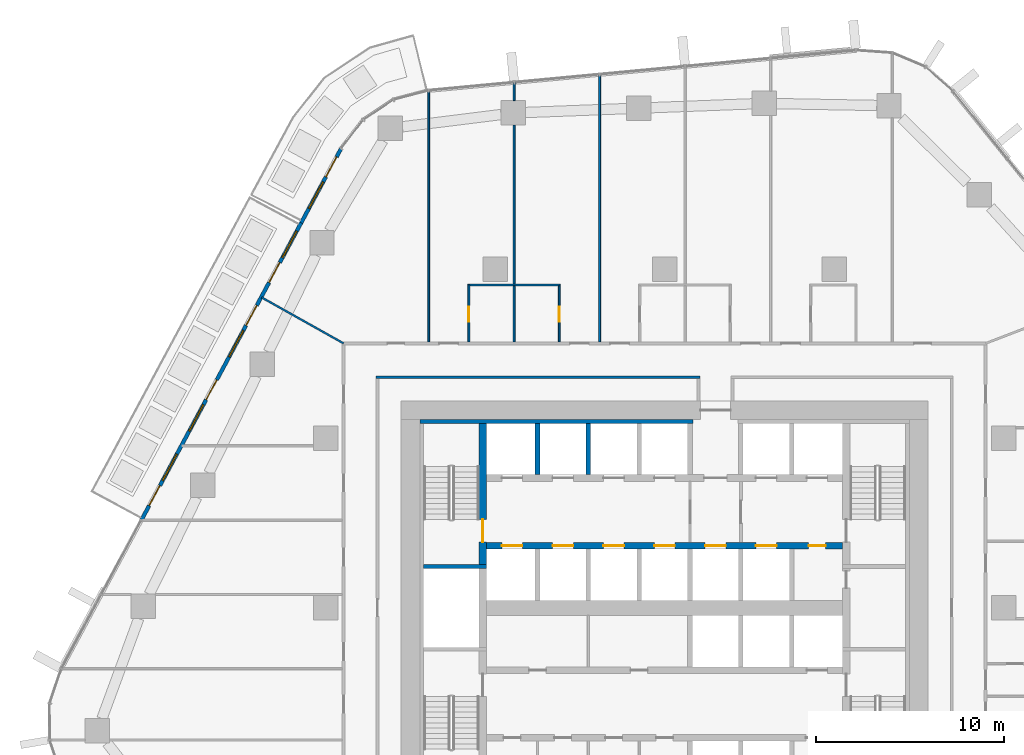
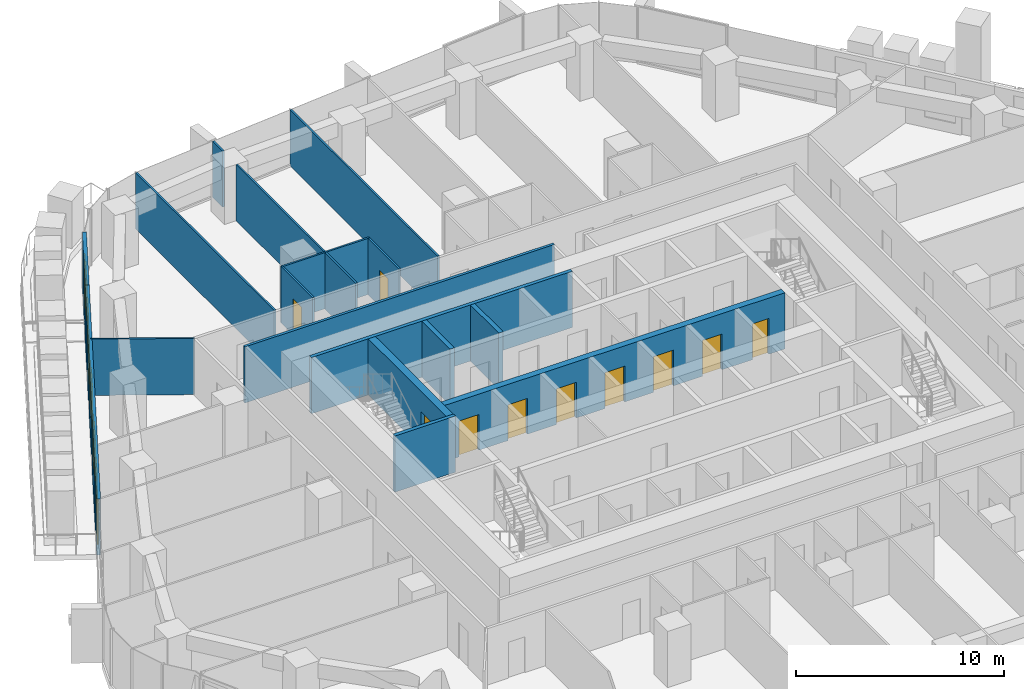
# One storey, part 15 of 24: 18 walls, 15 doors, 5 windows, 20 openings.
"""IFC4 building model written with IfcOpenShell, lengths in metres."""

from ifc_helpers import new_model, si_unit, direction, frame, frame_2d, origin, place, context, subcontext, project, spatial, rectangle, extrude, material, layer, layer_set, type_object, element, fill, save


model = new_model("IFC4")

# Units and contexts
model_context = context("Model", 3, precision=1e-05, world=origin(), true_north=direction((0.0, 1.0)))
body_context = subcontext(model_context, "Body", "Model", "MODEL_VIEW")
ifc_project = project(units=[si_unit("LENGTHUNIT", "METRE"), si_unit("AREAUNIT", "SQUARE_METRE"), si_unit("VOLUMEUNIT", "CUBIC_METRE"), si_unit("PLANEANGLEUNIT", "RADIAN"), si_unit("MASSUNIT", "GRAM", prefix="KILO")], contexts=[model_context])

# Site, building, storey
site_placement = place(None, origin())
site = spatial("IfcSite", under=ifc_project, at=site_placement, CompositionType="ELEMENT")
building_placement = place(site_placement, origin())
building = spatial("IfcBuilding", under=site, at=building_placement, Name="Dongbaek Canopy Tower", CompositionType="ELEMENT")
storey_placement = place(building_placement, frame((0.0, 0.0, 124.800048828125)))
storey = spatial("IfcBuildingStorey", under=building, at=storey_placement, Name="L27", CompositionType="ELEMENT", Elevation=124.800048828125)

# Wall, openings, doors
ifc_material_1 = material(Name="Concrete C60/75", Category="concrete")
ifc_layer_1 = layer(ifc_material_1, 0.35009765625)
ifc_layer_set_1 = layer_set([ifc_layer_1], Name="Core lobby wall 350 Concrete C60/75")
wall_type_1 = type_object("IfcWallType", Name="Core lobby wall 350 Concrete C60/75", PredefinedType="SHEAR", material=ifc_layer_set_1)
wall_1_placement = place(storey_placement, frame((9.449951171875, 3.300048828125, 0.0), z_axis=(0.0, 0.0, 1.0), x_axis=(-1.0, 0.0, 0.0)))
wall_1 = element("IfcWall", 1, at=wall_1_placement, inside=storey, type_object=wall_type_1, Name="Core wall", PredefinedType="SHEAR", context=body_context, shape_type="SweptSolid", body=[
    extrude(rectangle(XDim=18.89990234375, YDim=0.35009765625, at=frame_2d((9.449951171875, 0.0))), origin(), (0.0, 0.0, 1.0), 3.300048828125),
])
opening_1_placement = place(wall_1_placement, frame((17.0, 0.0, 0.0)))
opening_1 = element("IfcOpeningElement", 2, at=opening_1_placement, cuts=wall_1, Name="Opening L27-D052", PredefinedType="OPENING", context=body_context, shape_type="SweptSolid", body=[
    extrude(rectangle(XDim=1.10009765625, YDim=2.10009765625, at=frame_2d((0.550048828125, 1.050048828125))), frame((0.0, 0.18505859375, 0.0), z_axis=(0.0, -1.0, 0.0), x_axis=(1.0, 0.0, 0.0)), (0.0, 0.0, 1.0), 0.3701171875),
])
opening_2_placement = place(wall_1_placement, frame((14.300048828125, 0.0, 0.0)))
opening_2 = element("IfcOpeningElement", 3, at=opening_2_placement, cuts=wall_1, Name="Opening L27-D053", PredefinedType="OPENING", context=body_context, shape_type="SweptSolid", body=[
    extrude(rectangle(XDim=1.10009765625, YDim=2.10009765625, at=frame_2d((0.550048828125, 1.050048828125))), frame((0.0, 0.18505859375, 0.0), z_axis=(0.0, -1.0, 0.0), x_axis=(1.0, 0.0, 0.0)), (0.0, 0.0, 1.0), 0.3701171875),
])
opening_3_placement = place(wall_1_placement, frame((11.60009765625, 0.0, 0.0)))
opening_3 = element("IfcOpeningElement", 4, at=opening_3_placement, cuts=wall_1, Name="Opening L27-D054", PredefinedType="OPENING", context=body_context, shape_type="SweptSolid", body=[
    extrude(rectangle(XDim=1.10009765625, YDim=2.10009765625, at=frame_2d((0.550048828125, 1.050048828125))), frame((0.0, 0.18505859375, 0.0), z_axis=(0.0, -1.0, 0.0), x_axis=(1.0, 0.0, 0.0)), (0.0, 0.0, 1.0), 0.3701171875),
])
opening_4_placement = place(wall_1_placement, frame((8.89990234375, 0.0, 0.0)))
opening_4 = element("IfcOpeningElement", 5, at=opening_4_placement, cuts=wall_1, Name="Opening L27-D055", PredefinedType="OPENING", context=body_context, shape_type="SweptSolid", body=[
    extrude(rectangle(XDim=1.10009765625, YDim=2.10009765625, at=frame_2d((0.550048828125, 1.050048828125))), frame((0.0, 0.18505859375, 0.0), z_axis=(0.0, -1.0, 0.0), x_axis=(1.0, 0.0, 0.0)), (0.0, 0.0, 1.0), 0.3701171875),
])
opening_5_placement = place(wall_1_placement, frame((6.199951171875, 0.0, 0.0)))
opening_5 = element("IfcOpeningElement", 6, at=opening_5_placement, cuts=wall_1, Name="Opening L27-D056", PredefinedType="OPENING", context=body_context, shape_type="SweptSolid", body=[
    extrude(rectangle(XDim=1.10009765625, YDim=2.10009765625, at=frame_2d((0.550048828125, 1.050048828125))), frame((0.0, 0.18505859375, 0.0), z_axis=(0.0, -1.0, 0.0), x_axis=(1.0, 0.0, 0.0)), (0.0, 0.0, 1.0), 0.3701171875),
])
opening_6_placement = place(wall_1_placement, frame((3.5, 0.0, 0.0)))
opening_6 = element("IfcOpeningElement", 7, at=opening_6_placement, cuts=wall_1, Name="Opening L27-D057", PredefinedType="OPENING", context=body_context, shape_type="SweptSolid", body=[
    extrude(rectangle(XDim=1.10009765625, YDim=2.10009765625, at=frame_2d((0.550048828125, 1.050048828125))), frame((0.0, 0.18505859375, 0.0), z_axis=(0.0, -1.0, 0.0), x_axis=(1.0, 0.0, 0.0)), (0.0, 0.0, 1.0), 0.3701171875),
])
opening_7_placement = place(wall_1_placement, frame((0.89990234375, 0.0, 0.0)))
opening_7 = element("IfcOpeningElement", 8, at=opening_7_placement, cuts=wall_1, Name="Opening L27-D058", PredefinedType="OPENING", context=body_context, shape_type="SweptSolid", body=[
    extrude(rectangle(XDim=0.89990234375, YDim=2.10009765625, at=frame_2d((0.449951171875, 1.050048828125))), frame((0.0, 0.18505859375, 0.0), z_axis=(0.0, -1.0, 0.0), x_axis=(1.0, 0.0, 0.0)), (0.0, 0.0, 1.0), 0.3701171875),
])
ifc_material_2 = material(Name="Steel", Category="steel")
door_type_1 = type_object("IfcDoorType", Name="Core room door 900 x 2100", OperationType="SINGLE_SWING_LEFT", PredefinedType="DOOR", material=ifc_material_2)
door_1_placement = place(opening_7_placement, origin())
door_1 = element("IfcDoor", 9, at=door_1_placement, inside=storey, type_object=door_type_1, Name="Door L27-D058", OperationType="SINGLE_SWING_LEFT", OverallHeight=2.10009765625, OverallWidth=0.89990234375, PredefinedType="DOOR", context=body_context, shape_type="SweptSolid", body=[
    extrude(rectangle(XDim=0.89990234375, YDim=2.10009765625, at=frame_2d((0.449951171875, 1.050048828125))), frame((0.0, 0.02490234375, 0.0), z_axis=(0.0, -1.0, 0.0), x_axis=(1.0, 0.0, 0.0)), (0.0, 0.0, 1.0), 0.050048828125),
])
fill(opening_7, door_1)
ifc_material_3 = material(Name="Stainless steel", Category="steel")
door_type_2 = type_object("IfcDoorType", Name="Lift landing door 1100 x 2100", OperationType="DOUBLE_DOOR_SLIDING", PredefinedType="DOOR", material=ifc_material_3)
door_2_placement = place(opening_1_placement, origin())
door_2 = element("IfcDoor", 10, at=door_2_placement, inside=storey, type_object=door_type_2, Name="Landing door LR5", OperationType="DOUBLE_DOOR_SLIDING", OverallHeight=2.10009765625, OverallWidth=1.10009765625, PredefinedType="DOOR", context=body_context, shape_type="SweptSolid", body=[
    extrude(rectangle(XDim=1.10009765625, YDim=2.10009765625, at=frame_2d((0.550048828125, 1.050048828125))), frame((0.0, 0.02490234375, 0.0), z_axis=(0.0, -1.0, 0.0), x_axis=(1.0, 0.0, 0.0)), (0.0, 0.0, 1.0), 0.050048828125),
])
fill(opening_1, door_2)
door_3_placement = place(opening_2_placement, origin())
door_3 = element("IfcDoor", 11, at=door_3_placement, inside=storey, type_object=door_type_2, Name="Landing door LR6", OperationType="DOUBLE_DOOR_SLIDING", OverallHeight=2.10009765625, OverallWidth=1.10009765625, PredefinedType="DOOR", context=body_context, shape_type="SweptSolid", body=[
    extrude(rectangle(XDim=1.10009765625, YDim=2.10009765625, at=frame_2d((0.550048828125, 1.050048828125))), frame((0.0, 0.02490234375, 0.0), z_axis=(0.0, -1.0, 0.0), x_axis=(1.0, 0.0, 0.0)), (0.0, 0.0, 1.0), 0.050048828125),
])
fill(opening_2, door_3)
door_4_placement = place(opening_3_placement, origin())
door_4 = element("IfcDoor", 12, at=door_4_placement, inside=storey, type_object=door_type_2, Name="Landing door LR7", OperationType="DOUBLE_DOOR_SLIDING", OverallHeight=2.10009765625, OverallWidth=1.10009765625, PredefinedType="DOOR", context=body_context, shape_type="SweptSolid", body=[
    extrude(rectangle(XDim=1.10009765625, YDim=2.10009765625, at=frame_2d((0.550048828125, 1.050048828125))), frame((0.0, 0.02490234375, 0.0), z_axis=(0.0, -1.0, 0.0), x_axis=(1.0, 0.0, 0.0)), (0.0, 0.0, 1.0), 0.050048828125),
])
fill(opening_3, door_4)
door_5_placement = place(opening_4_placement, origin())
door_5 = element("IfcDoor", 13, at=door_5_placement, inside=storey, type_object=door_type_2, Name="Landing door LR8", OperationType="DOUBLE_DOOR_SLIDING", OverallHeight=2.10009765625, OverallWidth=1.10009765625, PredefinedType="DOOR", context=body_context, shape_type="SweptSolid", body=[
    extrude(rectangle(XDim=1.10009765625, YDim=2.10009765625, at=frame_2d((0.550048828125, 1.050048828125))), frame((0.0, 0.02490234375, 0.0), z_axis=(0.0, -1.0, 0.0), x_axis=(1.0, 0.0, 0.0)), (0.0, 0.0, 1.0), 0.050048828125),
])
fill(opening_4, door_5)
door_6_placement = place(opening_5_placement, origin())
door_6 = element("IfcDoor", 14, at=door_6_placement, inside=storey, type_object=door_type_2, Name="Landing door SV1", OperationType="DOUBLE_DOOR_SLIDING", OverallHeight=2.10009765625, OverallWidth=1.10009765625, PredefinedType="DOOR", context=body_context, shape_type="SweptSolid", body=[
    extrude(rectangle(XDim=1.10009765625, YDim=2.10009765625, at=frame_2d((0.550048828125, 1.050048828125))), frame((0.0, 0.02490234375, 0.0), z_axis=(0.0, -1.0, 0.0), x_axis=(1.0, 0.0, 0.0)), (0.0, 0.0, 1.0), 0.050048828125),
])
fill(opening_5, door_6)
door_7_placement = place(opening_6_placement, origin())
door_7 = element("IfcDoor", 15, at=door_7_placement, inside=storey, type_object=door_type_2, Name="Landing door FF3", OperationType="DOUBLE_DOOR_SLIDING", OverallHeight=2.10009765625, OverallWidth=1.10009765625, PredefinedType="DOOR", context=body_context, shape_type="SweptSolid", body=[
    extrude(rectangle(XDim=1.10009765625, YDim=2.10009765625, at=frame_2d((0.550048828125, 1.050048828125))), frame((0.0, 0.02490234375, 0.0), z_axis=(0.0, -1.0, 0.0), x_axis=(1.0, 0.0, 0.0)), (0.0, 0.0, 1.0), 0.050048828125),
])
fill(opening_6, door_7)

# Walls
ifc_material_4 = material(Name="Concrete C60/75", Category="concrete")
ifc_layer_2 = layer(ifc_material_4, 0.199951171875)
ifc_layer_set_2 = layer_set([ifc_layer_2], Name="Core wall lining 200 Concrete C60/75")
wall_type_2 = type_object("IfcWallType", Name="Core wall lining 200 Concrete C60/75", PredefinedType="SHEAR", material=ifc_layer_set_2)
wall_2_placement = place(storey_placement, frame((-13.0, 9.89990234375, 0.0), z_axis=(0.0, 0.0, 1.0), x_axis=(1.0, 0.0, 0.0)))
element("IfcWall", 16, at=wall_2_placement, inside=storey, type_object=wall_type_2, Name="Core wall lining", PredefinedType="SHEAR", context=body_context, shape_type="SweptSolid", body=[
    extrude(rectangle(XDim=14.5, YDim=0.199951171875, at=frame_2d((7.25, 0.0))), origin(), (0.0, 0.0, 1.0), 3.300048828125),
])
ifc_material_5 = material(Name="Gypsum board partition, steel stud, 2 x 15 mm fire board", Category="steel")
ifc_layer_3 = layer(ifc_material_5, 0.14990234375)
ifc_layer_set_3 = layer_set([ifc_layer_3], Name="Fire-rated partition 150 gypsum board")
wall_type_3 = type_object("IfcWallType", Name="Fire-rated partition 150 gypsum board", PredefinedType="PARTITIONING", material=ifc_layer_set_3)
wall_3_placement = place(storey_placement, frame((-15.324951171875, 12.25, 0.0), z_axis=(0.0, 0.0, 1.0), x_axis=(1.0, 0.0, 0.0)))
element("IfcWall", 17, at=wall_3_placement, inside=storey, type_object=wall_type_3, Name="Corridor partition", PredefinedType="PARTITIONING", context=body_context, shape_type="SweptSolid", body=[
    extrude(rectangle(XDim=17.199951171875, YDim=0.14990234375, at=frame_2d((8.60009765625, 0.0))), origin(), (0.0, 0.0, 1.0), 3.300048828125),
])
ifc_material_6 = material(Name="Concrete C40/50", Category="concrete")
ifc_layer_4 = layer(ifc_material_6, 0.25)
ifc_layer_set_4 = layer_set([ifc_layer_4], Name="Lift shaft wall 250 Concrete C40/50")
wall_type_4 = type_object("IfcWallType", Name="Lift shaft wall 250 Concrete C40/50", PredefinedType="SOLIDWALL", material=ifc_layer_set_4)
for number, where, z_axis, x_axis, name in (
    (18, (-4.050048828125, 7.074951171875, 0.0), (0.0, 0.0, 1.0), (0.0, 1.0, 0.0), "Lift shaft wall"),
    (19, (-6.75, 7.074951171875, 0.0), (0.0, 0.0, 1.0), (0.0, 1.0, 0.0), "Lift shaft wall"),
):
    element("IfcWall", number, at=place(storey_placement, frame(where, z_axis=z_axis, x_axis=x_axis)), inside=storey, type_object=wall_type_4, Name=name, PredefinedType="SOLIDWALL", context=body_context, shape_type="SweptSolid", body=[
        extrude(rectangle(XDim=2.72509765625, YDim=0.25, at=frame_2d((1.362548828125, 0.0))), origin(), (0.0, 0.0, 1.0), 3.300048828125),
    ])
ifc_material_7 = material(Name="Gypsum board partition, steel stud, 2 x 12.5 mm board", Category="steel")
ifc_layer_5 = layer(ifc_material_7, 0.10009765625)
ifc_layer_set_5 = layer_set([ifc_layer_5], Name="Partition 100 gypsum board")
wall_type_5 = type_object("IfcWallType", Name="Partition 100 gypsum board", PredefinedType="PARTITIONING", material=ifc_layer_set_5)
wall_4_placement = place(storey_placement, frame((-10.44677734375, 17.14990234375, 0.0), z_axis=(0.0, 0.0, 1.0), x_axis=(1.0, 0.0, 0.0)))
element("IfcWall", 20, at=wall_4_placement, inside=storey, type_object=wall_type_5, Name="Partition", PredefinedType="PARTITIONING", context=body_context, shape_type="SweptSolid", body=[
    extrude(rectangle(XDim=4.900146484375, YDim=0.10009765625, at=frame_2d((2.4501953125, 0.0))), origin(), (0.0, 0.0, 1.0), 3.300048828125),
])
wall_5_placement = place(storey_placement, frame((-3.455078125, 14.125, 0.0), z_axis=(0.0, 0.0, 1.0), x_axis=(0.0, 1.0, 0.0)))
element("IfcWall", 21, at=wall_5_placement, inside=storey, type_object=wall_type_5, Name="Partition", PredefinedType="PARTITIONING", context=body_context, shape_type="SweptSolid", body=[
    extrude(rectangle(XDim=14.1875, YDim=0.10009765625, at=frame_2d((7.09375, 0.0))), origin(), (0.0, 0.0, 1.0), 3.300048828125),
])

# Wall, opening, door
wall_6_placement = place(storey_placement, frame((-5.596923828125, 14.125, 0.0), z_axis=(0.0, 0.0, 1.0), x_axis=(0.0, 1.0, 0.0)))
wall_6 = element("IfcWall", 22, at=wall_6_placement, inside=storey, type_object=wall_type_5, Name="Partition", PredefinedType="PARTITIONING", context=body_context, shape_type="SweptSolid", body=[
    extrude(rectangle(XDim=2.97509765625, YDim=0.10009765625, at=frame_2d((1.487548828125, 0.0))), origin(), (0.0, 0.0, 1.0), 3.300048828125),
])
opening_8_placement = place(wall_6_placement, frame((1.074951171875, 0.0, 0.0)))
opening_8 = element("IfcOpeningElement", 23, at=opening_8_placement, cuts=wall_6, Name="Opening L27-D033", PredefinedType="OPENING", context=body_context, shape_type="SweptSolid", body=[
    extrude(rectangle(XDim=0.800048828125, YDim=2.10009765625, at=frame_2d((0.39990234375, 1.050048828125))), frame((0.0, 0.06005859375, 0.0), z_axis=(0.0, -1.0, 0.0), x_axis=(1.0, 0.0, 0.0)), (0.0, 0.0, 1.0), 0.1201171875),
])
ifc_material_8 = material(Name="Timber veneered door leaf", Category="wood")
door_type_3 = type_object("IfcDoorType", Name="En-suite door 800 x 2100", OperationType="SINGLE_SWING_LEFT", PredefinedType="DOOR", material=ifc_material_8)
door_8_placement = place(opening_8_placement, origin())
door_8 = element("IfcDoor", 24, at=door_8_placement, inside=storey, type_object=door_type_3, Name="Door L27-D033", OperationType="SINGLE_SWING_RIGHT", OverallHeight=2.10009765625, OverallWidth=0.800048828125, PredefinedType="DOOR", context=body_context, shape_type="SweptSolid", body=[
    extrude(rectangle(XDim=0.800048828125, YDim=2.10009765625, at=frame_2d((0.39990234375, 1.050048828125))), frame((0.0, 0.02490234375, 0.0), z_axis=(0.0, -1.0, 0.0), x_axis=(1.0, 0.0, 0.0)), (0.0, 0.0, 1.0), 0.050048828125),
])
fill(opening_8, door_8)

# Walls
wall_7_placement = place(storey_placement, frame((-7.9970703125, 14.125, 0.0), z_axis=(0.0, 0.0, 1.0), x_axis=(0.0, 1.0, 0.0)))
element("IfcWall", 25, at=wall_7_placement, inside=storey, type_object=wall_type_5, Name="Partition", PredefinedType="PARTITIONING", context=body_context, shape_type="SweptSolid", body=[
    extrude(rectangle(XDim=2.97509765625, YDim=0.10009765625, at=frame_2d((1.487548828125, 0.0))), origin(), (0.0, 0.0, 1.0), 3.300048828125),
])
wall_8_placement = place(storey_placement, frame((-7.9970703125, 17.199951171875, 0.0), z_axis=(0.0, 0.0, 1.0), x_axis=(0.0, 1.0, 0.0)))
element("IfcWall", 26, at=wall_8_placement, inside=storey, type_object=wall_type_5, Name="Partition", PredefinedType="PARTITIONING", context=body_context, shape_type="SweptSolid", body=[
    extrude(rectangle(XDim=8.43798828125, YDim=0.10009765625, at=frame_2d((4.218994140625, 0.0))), origin(), (0.0, 0.0, 1.0), 3.300048828125),
])
wall_9_placement = place(storey_placement, frame((-7.9970703125, 26.93798828125, 0.0), z_axis=(0.0, 0.0, 1.0), x_axis=(0.0, 1.0, 0.0)))
element("IfcWall", 27, at=wall_9_placement, inside=storey, type_object=wall_type_5, Name="Partition", PredefinedType="PARTITIONING", context=body_context, shape_type="SweptSolid", body=[
    extrude(rectangle(XDim=0.94873046875, YDim=0.10009765625, at=frame_2d((0.474365234375, 0.0))), origin(), (0.0, 0.0, 1.0), 3.300048828125),
])

# Wall, opening, door
wall_10_placement = place(storey_placement, frame((-10.39697265625, 17.14990234375, 0.0), z_axis=(0.0, 0.0, 1.0), x_axis=(0.0, -1.0, 0.0)))
wall_10 = element("IfcWall", 28, at=wall_10_placement, inside=storey, type_object=wall_type_5, Name="Partition", PredefinedType="PARTITIONING", context=body_context, shape_type="SweptSolid", body=[
    extrude(rectangle(XDim=3.02490234375, YDim=0.10009765625, at=frame_2d((1.512451171875, 0.0))), origin(), (0.0, 0.0, 1.0), 3.300048828125),
])
opening_9_placement = place(wall_10_placement, frame((1.14990234375, 0.0, 0.0)))
opening_9 = element("IfcOpeningElement", 29, at=opening_9_placement, cuts=wall_10, Name="Opening L27-D035", PredefinedType="OPENING", context=body_context, shape_type="SweptSolid", body=[
    extrude(rectangle(XDim=0.800048828125, YDim=2.10009765625, at=frame_2d((0.39990234375, 1.050048828125))), frame((0.0, 0.06005859375, 0.0), z_axis=(0.0, -1.0, 0.0), x_axis=(1.0, 0.0, 0.0)), (0.0, 0.0, 1.0), 0.1201171875),
])
door_9_placement = place(opening_9_placement, origin())
door_9 = element("IfcDoor", 30, at=door_9_placement, inside=storey, type_object=door_type_3, Name="Door L27-D035", OperationType="SINGLE_SWING_LEFT", OverallHeight=2.10009765625, OverallWidth=0.800048828125, PredefinedType="DOOR", context=body_context, shape_type="SweptSolid", body=[
    extrude(rectangle(XDim=0.800048828125, YDim=2.10009765625, at=frame_2d((0.39990234375, 1.050048828125))), frame((0.0, 0.02490234375, 0.0), z_axis=(0.0, -1.0, 0.0), x_axis=(1.0, 0.0, 0.0)), (0.0, 0.0, 1.0), 0.050048828125),
])
fill(opening_9, door_9)

# Walls
wall_11_placement = place(storey_placement, frame((-12.530029296875, 14.125, 0.0), z_axis=(0.0, 0.0, 1.0), x_axis=(0.0, 1.0, 0.0)))
element("IfcWall", 31, at=wall_11_placement, inside=storey, type_object=wall_type_5, Name="Partition", PredefinedType="PARTITIONING", context=body_context, shape_type="SweptSolid", body=[
    extrude(rectangle(XDim=13.335693359375, YDim=0.10009765625, at=frame_2d((6.66796875, 0.0))), origin(), (0.0, 0.0, 1.0), 3.300048828125),
])
wall_12_placement = place(storey_placement, frame((-21.41064453125, 16.493896484375, 0.0), z_axis=(0.0, 0.0, 1.0), x_axis=(0.872342728858, -0.488894838803, 0.0)))
element("IfcWall", 32, at=wall_12_placement, inside=storey, type_object=wall_type_5, Name="Partition", PredefinedType="PARTITIONING", context=body_context, shape_type="SweptSolid", body=[
    extrude(rectangle(XDim=4.998779296875, YDim=0.10009765625, at=frame_2d((2.49951171875, 0.0))), origin(), (0.0, 0.0, 1.0), 3.300048828125),
])
ifc_material_9 = material(Name="Concrete C60/75", Category="concrete")
ifc_layer_6 = layer(ifc_material_9, 0.199951171875)
ifc_layer_set_6 = layer_set([ifc_layer_6], Name="Riser wall 200 Concrete C60/75")
wall_type_6 = type_object("IfcWallType", Name="Riser wall 200 Concrete C60/75", PredefinedType="SHEAR", material=ifc_layer_set_6)
wall_13_placement = place(storey_placement, frame((-9.449951171875, 2.199951171875, 0.0), z_axis=(0.0, 0.0, 1.0), x_axis=(-1.0, 0.0, 0.0)))
element("IfcWall", 33, at=wall_13_placement, inside=storey, type_object=wall_type_6, Name="Riser wall", PredefinedType="SHEAR", context=body_context, shape_type="SweptSolid", body=[
    extrude(rectangle(XDim=3.35009765625, YDim=0.199951171875, at=frame_2d((1.675048828125, 0.0))), origin(), (0.0, 0.0, 1.0), 3.300048828125),
])

# Wall, opening, door
ifc_material_10 = material(Name="Concrete C60/75", Category="concrete")
ifc_layer_7 = layer(ifc_material_10, 0.39990234375)
ifc_layer_set_7 = layer_set([ifc_layer_7], Name="Stair wall 400 Concrete C60/75")
wall_type_7 = type_object("IfcWallType", Name="Stair wall 400 Concrete C60/75", PredefinedType="SHEAR", material=ifc_layer_set_7)
wall_14_placement = place(storey_placement, frame((-9.64990234375, 2.300048828125, 0.0), z_axis=(0.0, 0.0, 1.0), x_axis=(0.0, 1.0, 0.0)))
wall_14 = element("IfcWall", 34, at=wall_14_placement, inside=storey, type_object=wall_type_7, Name="Stair wall", PredefinedType="SHEAR", context=body_context, shape_type="SweptSolid", body=[
    extrude(rectangle(XDim=7.5, YDim=0.39990234375, at=frame_2d((3.75, 0.0))), origin(), (0.0, 0.0, 1.0), 3.300048828125),
])
opening_10_placement = place(wall_14_placement, frame((1.199951171875, 0.0, 0.0)))
opening_10 = element("IfcOpeningElement", 35, at=opening_10_placement, cuts=wall_14, Name="Opening L27-D069", PredefinedType="OPENING", context=body_context, shape_type="SweptSolid", body=[
    extrude(rectangle(XDim=1.199951171875, YDim=2.10009765625, at=frame_2d((0.60009765625, 1.050048828125))), frame((0.0, 0.2099609375, 0.0), z_axis=(0.0, -1.0, 0.0), x_axis=(1.0, 0.0, 0.0)), (0.0, 0.0, 1.0), 0.419921875),
])
ifc_material_11 = material(Name="Steel", Category="steel")
door_type_4 = type_object("IfcDoorType", Name="Stair door 1200 x 2100", OperationType="SINGLE_SWING_LEFT", PredefinedType="DOOR", material=ifc_material_11)
door_10_placement = place(opening_10_placement, origin())
door_10 = element("IfcDoor", 36, at=door_10_placement, inside=storey, type_object=door_type_4, Name="Stair C door", OperationType="SINGLE_SWING_RIGHT", OverallHeight=2.10009765625, OverallWidth=1.199951171875, PredefinedType="DOOR", context=body_context, shape_type="SweptSolid", body=[
    extrude(rectangle(XDim=1.199951171875, YDim=2.10009765625, at=frame_2d((0.60009765625, 1.050048828125))), frame((0.0, 0.02490234375, 0.0), z_axis=(0.0, -1.0, 0.0), x_axis=(1.0, 0.0, 0.0)), (0.0, 0.0, 1.0), 0.050048828125),
])
fill(opening_10, door_10)

# Wall, openings, doors, windows
ifc_material_12 = material(Name="Aluminium window wall", Category="aluminium")
ifc_layer_8 = layer(ifc_material_12, 0.199951171875)
ifc_layer_set_8 = layer_set([ifc_layer_8], Name="Window wall 200")
wall_type_8 = type_object("IfcWallType", Name="Window wall 200", PredefinedType="SOLIDWALL", material=ifc_layer_set_8)
wall_15_placement = place(storey_placement, frame((-19.306396484375, 20.451416015625, 0.0), z_axis=(0.0, 0.0, 1.0), x_axis=(-0.473410228211, -0.880842072011, 0.0)))
wall_15 = element("IfcWall", 37, at=wall_15_placement, inside=storey, type_object=wall_type_8, Name="Window wall L27 2", PredefinedType="SOLIDWALL", context=body_context, shape_type="SweptSolid", body=[
    extrude(rectangle(XDim=17.927978515625, YDim=0.199951171875, at=frame_2d((8.9638671875, 0.0))), origin(), (0.0, 0.0, 1.0), 3.300048828125),
])
opening_11_placement = place(wall_15_placement, frame((0.5, 0.0, 0.60009765625)))
opening_11 = element("IfcOpeningElement", 38, at=opening_11_placement, cuts=wall_15, Name="Opening W1", PredefinedType="OPENING", context=body_context, shape_type="SweptSolid", body=[
    extrude(rectangle(XDim=1.60009765625, YDim=2.39990234375, at=frame_2d((0.800048828125, 1.199951171875))), frame((0.0, 0.10986328125, 0.0), z_axis=(0.0, -1.0, 0.0), x_axis=(1.0, 0.0, 0.0)), (0.0, 0.0, 1.0), 0.219970703125),
])
opening_12_placement = place(wall_15_placement, frame((2.39990234375, 0.0, 0.0)))
opening_12 = element("IfcOpeningElement", 39, at=opening_12_placement, cuts=wall_15, Name="Opening L27-B04", PredefinedType="OPENING", context=body_context, shape_type="SweptSolid", body=[
    extrude(rectangle(XDim=1.199951171875, YDim=2.39990234375, at=frame_2d((0.60009765625, 1.199951171875))), frame((0.0, 0.10986328125, 0.0), z_axis=(0.0, -1.0, 0.0), x_axis=(1.0, 0.0, 0.0)), (0.0, 0.0, 1.0), 0.219970703125),
])
opening_13_placement = place(wall_15_placement, frame((6.482177734375, 0.0, 0.60009765625)))
opening_13 = element("IfcOpeningElement", 40, at=opening_13_placement, cuts=wall_15, Name="Opening W1", PredefinedType="OPENING", context=body_context, shape_type="SweptSolid", body=[
    extrude(rectangle(XDim=1.60009765625, YDim=2.39990234375, at=frame_2d((0.800048828125, 1.199951171875))), frame((0.0, 0.10986328125, 0.0), z_axis=(0.0, -1.0, 0.0), x_axis=(1.0, 0.0, 0.0)), (0.0, 0.0, 1.0), 0.219970703125),
])
opening_14_placement = place(wall_15_placement, frame((4.982177734375, 0.0, 0.0)))
opening_14 = element("IfcOpeningElement", 41, at=opening_14_placement, cuts=wall_15, Name="Opening L27-B05", PredefinedType="OPENING", context=body_context, shape_type="SweptSolid", body=[
    extrude(rectangle(XDim=1.199951171875, YDim=2.39990234375, at=frame_2d((0.60009765625, 1.199951171875))), frame((0.0, 0.10986328125, 0.0), z_axis=(0.0, -1.0, 0.0), x_axis=(1.0, 0.0, 0.0)), (0.0, 0.0, 1.0), 0.219970703125),
])
opening_15_placement = place(wall_15_placement, frame((10.964111328125, 0.0, 0.60009765625)))
opening_15 = element("IfcOpeningElement", 42, at=opening_15_placement, cuts=wall_15, Name="Opening W1", PredefinedType="OPENING", context=body_context, shape_type="SweptSolid", body=[
    extrude(rectangle(XDim=1.60009765625, YDim=2.39990234375, at=frame_2d((0.800048828125, 1.199951171875))), frame((0.0, 0.10986328125, 0.0), z_axis=(0.0, -1.0, 0.0), x_axis=(1.0, 0.0, 0.0)), (0.0, 0.0, 1.0), 0.219970703125),
])
opening_16_placement = place(wall_15_placement, frame((9.464111328125, 0.0, 0.0)))
opening_16 = element("IfcOpeningElement", 43, at=opening_16_placement, cuts=wall_15, Name="Opening L27-B06", PredefinedType="OPENING", context=body_context, shape_type="SweptSolid", body=[
    extrude(rectangle(XDim=1.199951171875, YDim=2.39990234375, at=frame_2d((0.60009765625, 1.199951171875))), frame((0.0, 0.10986328125, 0.0), z_axis=(0.0, -1.0, 0.0), x_axis=(1.0, 0.0, 0.0)), (0.0, 0.0, 1.0), 0.219970703125),
])
opening_17_placement = place(wall_15_placement, frame((13.9462890625, 0.0, 0.60009765625)))
opening_17 = element("IfcOpeningElement", 44, at=opening_17_placement, cuts=wall_15, Name="Opening W1", PredefinedType="OPENING", context=body_context, shape_type="SweptSolid", body=[
    extrude(rectangle(XDim=1.60009765625, YDim=2.39990234375, at=frame_2d((0.800048828125, 1.199951171875))), frame((0.0, 0.10986328125, 0.0), z_axis=(0.0, -1.0, 0.0), x_axis=(1.0, 0.0, 0.0)), (0.0, 0.0, 1.0), 0.219970703125),
])
opening_18_placement = place(wall_15_placement, frame((15.84619140625, 0.0, 0.0)))
opening_18 = element("IfcOpeningElement", 45, at=opening_18_placement, cuts=wall_15, Name="Opening L27-B07", PredefinedType="OPENING", context=body_context, shape_type="SweptSolid", body=[
    extrude(rectangle(XDim=1.199951171875, YDim=2.39990234375, at=frame_2d((0.60009765625, 1.199951171875))), frame((0.0, 0.10986328125, 0.0), z_axis=(0.0, -1.0, 0.0), x_axis=(1.0, 0.0, 0.0)), (0.0, 0.0, 1.0), 0.219970703125),
])
ifc_material_13 = material(Name="Clear glazing in aluminium frame", Category="aluminium")
door_type_5 = type_object("IfcDoorType", Name="Balcony door BD1 1200 x 2400", OperationType="SLIDING_TO_LEFT", PredefinedType="DOOR", material=ifc_material_13)
door_11_placement = place(opening_12_placement, origin())
door_11 = element("IfcDoor", 46, at=door_11_placement, inside=storey, type_object=door_type_5, Name="Balcony door L27-B04", OperationType="SLIDING_TO_LEFT", OverallHeight=2.39990234375, OverallWidth=1.199951171875, PredefinedType="DOOR", context=body_context, shape_type="SweptSolid", body=[
    extrude(rectangle(XDim=1.199951171875, YDim=2.39990234375, at=frame_2d((0.60009765625, 1.199951171875))), frame((0.0, 0.02490234375, 0.0), z_axis=(0.0, -1.0, 0.0), x_axis=(1.0, 0.0, 0.0)), (0.0, 0.0, 1.0), 0.050048828125),
])
fill(opening_12, door_11)
door_12_placement = place(opening_14_placement, origin())
door_12 = element("IfcDoor", 47, at=door_12_placement, inside=storey, type_object=door_type_5, Name="Balcony door L27-B05", OperationType="SLIDING_TO_LEFT", OverallHeight=2.39990234375, OverallWidth=1.199951171875, PredefinedType="DOOR", context=body_context, shape_type="SweptSolid", body=[
    extrude(rectangle(XDim=1.199951171875, YDim=2.39990234375, at=frame_2d((0.60009765625, 1.199951171875))), frame((0.0, 0.02490234375, 0.0), z_axis=(0.0, -1.0, 0.0), x_axis=(1.0, 0.0, 0.0)), (0.0, 0.0, 1.0), 0.050048828125),
])
fill(opening_14, door_12)
door_13_placement = place(opening_16_placement, origin())
door_13 = element("IfcDoor", 48, at=door_13_placement, inside=storey, type_object=door_type_5, Name="Balcony door L27-B06", OperationType="SLIDING_TO_LEFT", OverallHeight=2.39990234375, OverallWidth=1.199951171875, PredefinedType="DOOR", context=body_context, shape_type="SweptSolid", body=[
    extrude(rectangle(XDim=1.199951171875, YDim=2.39990234375, at=frame_2d((0.60009765625, 1.199951171875))), frame((0.0, 0.02490234375, 0.0), z_axis=(0.0, -1.0, 0.0), x_axis=(1.0, 0.0, 0.0)), (0.0, 0.0, 1.0), 0.050048828125),
])
fill(opening_16, door_13)
door_14_placement = place(opening_18_placement, origin())
door_14 = element("IfcDoor", 49, at=door_14_placement, inside=storey, type_object=door_type_5, Name="Balcony door L27-B07", OperationType="SLIDING_TO_LEFT", OverallHeight=2.39990234375, OverallWidth=1.199951171875, PredefinedType="DOOR", context=body_context, shape_type="SweptSolid", body=[
    extrude(rectangle(XDim=1.199951171875, YDim=2.39990234375, at=frame_2d((0.60009765625, 1.199951171875))), frame((0.0, 0.02490234375, 0.0), z_axis=(0.0, -1.0, 0.0), x_axis=(1.0, 0.0, 0.0)), (0.0, 0.0, 1.0), 0.050048828125),
])
fill(opening_18, door_14)
ifc_material_14 = material(Name="Clear glazing in aluminium frame", Category="aluminium")
window_type = type_object("IfcWindowType", Name="Window W1 1600 x 2400", PartitioningType="SINGLE_PANEL", PredefinedType="WINDOW", material=ifc_material_14)
window_1_placement = place(opening_11_placement, origin())
window_1 = element("IfcWindow", 50, at=window_1_placement, inside=storey, type_object=window_type, Name="Window L27 2.1", OverallHeight=2.39990234375, OverallWidth=1.60009765625, PartitioningType="SINGLE_PANEL", PredefinedType="WINDOW", context=body_context, shape_type="SweptSolid", body=[
    extrude(rectangle(XDim=1.60009765625, YDim=2.39990234375, at=frame_2d((0.800048828125, 1.199951171875))), frame((0.0, 0.030029296875, 0.0), z_axis=(0.0, -1.0, 0.0), x_axis=(1.0, 0.0, 0.0)), (0.0, 0.0, 1.0), 0.06005859375),
])
fill(opening_11, window_1)
window_2_placement = place(opening_13_placement, origin())
window_2 = element("IfcWindow", 51, at=window_2_placement, inside=storey, type_object=window_type, Name="Window L27 2.2", OverallHeight=2.39990234375, OverallWidth=1.60009765625, PartitioningType="SINGLE_PANEL", PredefinedType="WINDOW", context=body_context, shape_type="SweptSolid", body=[
    extrude(rectangle(XDim=1.60009765625, YDim=2.39990234375, at=frame_2d((0.800048828125, 1.199951171875))), frame((0.0, 0.030029296875, 0.0), z_axis=(0.0, -1.0, 0.0), x_axis=(1.0, 0.0, 0.0)), (0.0, 0.0, 1.0), 0.06005859375),
])
fill(opening_13, window_2)
window_3_placement = place(opening_15_placement, origin())
window_3 = element("IfcWindow", 52, at=window_3_placement, inside=storey, type_object=window_type, Name="Window L27 2.3", OverallHeight=2.39990234375, OverallWidth=1.60009765625, PartitioningType="SINGLE_PANEL", PredefinedType="WINDOW", context=body_context, shape_type="SweptSolid", body=[
    extrude(rectangle(XDim=1.60009765625, YDim=2.39990234375, at=frame_2d((0.800048828125, 1.199951171875))), frame((0.0, 0.030029296875, 0.0), z_axis=(0.0, -1.0, 0.0), x_axis=(1.0, 0.0, 0.0)), (0.0, 0.0, 1.0), 0.06005859375),
])
fill(opening_15, window_3)
window_4_placement = place(opening_17_placement, origin())
window_4 = element("IfcWindow", 53, at=window_4_placement, inside=storey, type_object=window_type, Name="Window L27 2.4", OverallHeight=2.39990234375, OverallWidth=1.60009765625, PartitioningType="SINGLE_PANEL", PredefinedType="WINDOW", context=body_context, shape_type="SweptSolid", body=[
    extrude(rectangle(XDim=1.60009765625, YDim=2.39990234375, at=frame_2d((0.800048828125, 1.199951171875))), frame((0.0, 0.030029296875, 0.0), z_axis=(0.0, -1.0, 0.0), x_axis=(1.0, 0.0, 0.0)), (0.0, 0.0, 1.0), 0.06005859375),
])
fill(opening_17, window_4)

# Wall, openings, door, window
wall_16_placement = place(storey_placement, frame((-17.1884765625, 24.392333984375, 0.0), z_axis=(0.0, 0.0, 1.0), x_axis=(-0.473387015207, -0.88085454749, 0.0)))
wall_16 = element("IfcWall", 54, at=wall_16_placement, inside=storey, type_object=wall_type_8, Name="Window wall L27 6", PredefinedType="SOLIDWALL", context=body_context, shape_type="SweptSolid", body=[
    extrude(rectangle(XDim=4.473876953125, YDim=0.199951171875, at=frame_2d((2.23681640625, 0.0))), origin(), (0.0, 0.0, 1.0), 3.300048828125),
])
opening_19_placement = place(wall_16_placement, frame((2.0, 0.0, 0.60009765625)))
opening_19 = element("IfcOpeningElement", 55, at=opening_19_placement, cuts=wall_16, Name="Opening W1", PredefinedType="OPENING", context=body_context, shape_type="SweptSolid", body=[
    extrude(rectangle(XDim=1.60009765625, YDim=2.39990234375, at=frame_2d((0.800048828125, 1.199951171875))), frame((0.0, 0.10986328125, 0.0), z_axis=(0.0, -1.0, 0.0), x_axis=(1.0, 0.0, 0.0)), (0.0, 0.0, 1.0), 0.219970703125),
])
opening_20_placement = place(wall_16_placement, frame((0.5, 0.0, 0.0)))
opening_20 = element("IfcOpeningElement", 56, at=opening_20_placement, cuts=wall_16, Name="Opening L27-B08", PredefinedType="OPENING", context=body_context, shape_type="SweptSolid", body=[
    extrude(rectangle(XDim=1.199951171875, YDim=2.39990234375, at=frame_2d((0.60009765625, 1.199951171875))), frame((0.0, 0.10986328125, 0.0), z_axis=(0.0, -1.0, 0.0), x_axis=(1.0, 0.0, 0.0)), (0.0, 0.0, 1.0), 0.219970703125),
])
door_15_placement = place(opening_20_placement, origin())
door_15 = element("IfcDoor", 57, at=door_15_placement, inside=storey, type_object=door_type_5, Name="Balcony door L27-B08", OperationType="SLIDING_TO_LEFT", OverallHeight=2.39990234375, OverallWidth=1.199951171875, PredefinedType="DOOR", context=body_context, shape_type="SweptSolid", body=[
    extrude(rectangle(XDim=1.199951171875, YDim=2.39990234375, at=frame_2d((0.60009765625, 1.199951171875))), frame((0.0, 0.02490234375, 0.0), z_axis=(0.0, -1.0, 0.0), x_axis=(1.0, 0.0, 0.0)), (0.0, 0.0, 1.0), 0.050048828125),
])
fill(opening_20, door_15)
window_5_placement = place(opening_19_placement, origin())
window_5 = element("IfcWindow", 58, at=window_5_placement, inside=storey, type_object=window_type, Name="Window L27 6.1", OverallHeight=2.39990234375, OverallWidth=1.60009765625, PartitioningType="SINGLE_PANEL", PredefinedType="WINDOW", context=body_context, shape_type="SweptSolid", body=[
    extrude(rectangle(XDim=1.60009765625, YDim=2.39990234375, at=frame_2d((0.800048828125, 1.199951171875))), frame((0.0, 0.030029296875, 0.0), z_axis=(0.0, -1.0, 0.0), x_axis=(1.0, 0.0, 0.0)), (0.0, 0.0, 1.0), 0.06005859375),
])
fill(opening_19, window_5)

save(model, "model.ifc")
